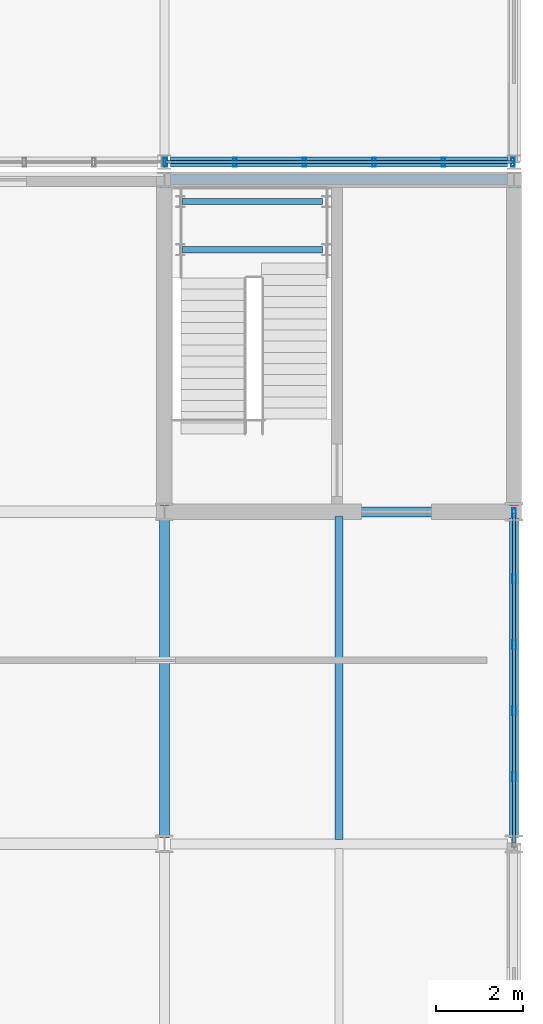
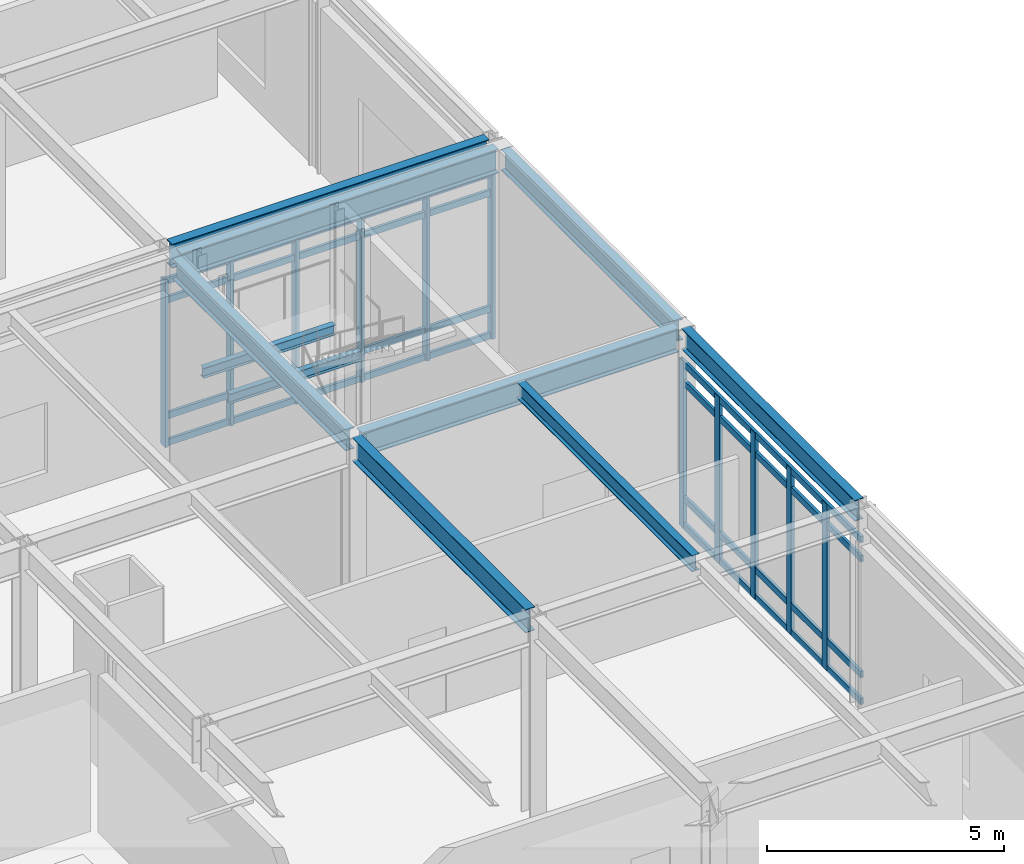
# One storey, part 59 of 94: 19 members, 10 beams, 2 elements without a shape of their own.
"""IFC4 building model written with IfcOpenShell, lengths in metres."""

from ifc_helpers import new_model, si_unit, direction, frame, origin, origin_2d, place, context, subcontext, project, spatial, hollow_rectangle, i_section, extrude, material, material_profile, profile_set, type_object, element, aggregate, save


model = new_model("IFC4")

# Units and contexts
model_context = context("Model", 3, precision=1e-05, world=origin(), true_north=direction((0.0, 1.0)))
body_context = subcontext(model_context, "Body", "Model", "MODEL_VIEW")
ifc_project = project(units=[si_unit("LENGTHUNIT", "METRE"), si_unit("AREAUNIT", "SQUARE_METRE"), si_unit("VOLUMEUNIT", "CUBIC_METRE"), si_unit("PLANEANGLEUNIT", "RADIAN"), si_unit("MASSUNIT", "GRAM", prefix="KILO")], contexts=[model_context])

# Site, building, storey
site_placement = place(None, origin())
site = spatial("IfcSite", under=ifc_project, at=site_placement, CompositionType="ELEMENT")
building_placement = place(site_placement, origin())
building = spatial("IfcBuilding", under=site, at=building_placement, Name="Zulena Civic Courthouse", CompositionType="ELEMENT")
storey_placement = place(building_placement, frame((0.0, 0.0, 5.39990234375)))
storey = spatial("IfcBuildingStorey", under=building, at=storey_placement, Name="L01", CompositionType="ELEMENT", Elevation=5.39990234375)

# Curtain wall, members
ifc_material_1 = material(Name="Double-silver low-E laminated solar-control glass", Category="glass")
curtain_wall_type_1 = type_object("IfcCurtainWallType", Name="CW_7552x4280", PredefinedType="USERDEFINED", material=ifc_material_1)
curtain_wall_1_placement = place(storey_placement, origin())
curtain_wall_1 = element("IfcCurtainWall", 1, at=curtain_wall_1_placement, inside=storey, type_object=curtain_wall_type_1, Name="cw:V1:L01:2:1", ObjectType="UNITISED CURTAIN WALL", PredefinedType="USERDEFINED")
ifc_material_2 = material(Name="Bronze anodised thermally broken aluminium AA6063-T6", Category="aluminium")
ifc_material_profile_1 = material_profile(ifc_material_2, hollow_rectangle(XDim=0.080078125, YDim=0.199951171875, WallThickness=0.0048828125, at=origin_2d()), Name="CWM200X80X5")
ifc_profile_set_1 = profile_set([ifc_material_profile_1], Name="Bronze anodised thermally broken aluminium AA6063-T6")
member_type_1 = type_object("IfcMemberType", Name="CWMullion_200x80", PredefinedType="MULLION", material=ifc_profile_set_1)
member_1_placement = place(storey_placement, frame((172.0, 22.77587890625, 0.0), z_axis=(0.0, 0.0, 1.0), x_axis=(1.0, 0.0, 0.0)))
member_1 = element("IfcMember", 2, at=member_1_placement, type_object=member_type_1, Name="cw:V1:L01:2:1:mull:0", PredefinedType="MULLION", context=body_context, shape_type="SweptSolid", body=[
    extrude(hollow_rectangle(XDim=0.080078125, YDim=0.199951171875, WallThickness=0.0048828125, at=origin_2d()), origin(), (0.0, 0.0, 1.0), 4.280029296875),
])
member_2_placement = place(storey_placement, frame((172.0, 21.265625, 0.0), z_axis=(0.0, 0.0, 1.0), x_axis=(1.0, 0.0, 0.0)))
member_2 = element("IfcMember", 3, at=member_2_placement, type_object=member_type_1, Name="cw:V1:L01:2:1:mull:1", PredefinedType="MULLION", context=body_context, shape_type="SweptSolid", body=[
    extrude(hollow_rectangle(XDim=0.080078125, YDim=0.199951171875, WallThickness=0.0048828125, at=origin_2d()), origin(), (0.0, 0.0, 1.0), 4.280029296875),
])
member_3_placement = place(storey_placement, frame((172.0, 19.755126953125, 0.0), z_axis=(0.0, 0.0, 1.0), x_axis=(1.0, 0.0, 0.0)))
member_3 = element("IfcMember", 4, at=member_3_placement, type_object=member_type_1, Name="cw:V1:L01:2:1:mull:2", PredefinedType="MULLION", context=body_context, shape_type="SweptSolid", body=[
    extrude(hollow_rectangle(XDim=0.080078125, YDim=0.199951171875, WallThickness=0.0048828125, at=origin_2d()), origin(), (0.0, 0.0, 1.0), 4.280029296875),
])
member_4_placement = place(storey_placement, frame((172.0, 18.244873046875, 0.0), z_axis=(0.0, 0.0, 1.0), x_axis=(1.0, 0.0, 0.0)))
member_4 = element("IfcMember", 5, at=member_4_placement, type_object=member_type_1, Name="cw:V1:L01:2:1:mull:3", PredefinedType="MULLION", context=body_context, shape_type="SweptSolid", body=[
    extrude(hollow_rectangle(XDim=0.080078125, YDim=0.199951171875, WallThickness=0.0048828125, at=origin_2d()), origin(), (0.0, 0.0, 1.0), 4.280029296875),
])
member_5_placement = place(storey_placement, frame((172.0, 16.734375, 0.0), z_axis=(0.0, 0.0, 1.0), x_axis=(1.0, 0.0, 0.0)))
member_5 = element("IfcMember", 6, at=member_5_placement, type_object=member_type_1, Name="cw:V1:L01:2:1:mull:4", PredefinedType="MULLION", context=body_context, shape_type="SweptSolid", body=[
    extrude(hollow_rectangle(XDim=0.080078125, YDim=0.199951171875, WallThickness=0.0048828125, at=origin_2d()), origin(), (0.0, 0.0, 1.0), 4.280029296875),
])

curtain_wall_type_2 = type_object("IfcCurtainWallType", Name="CW_7952x4280", PredefinedType="USERDEFINED", material=ifc_material_1)
curtain_wall_2_placement = place(storey_placement, origin())
curtain_wall_2 = element("IfcCurtainWall", 7, at=curtain_wall_2_placement, inside=storey, type_object=curtain_wall_type_2, Name="cw:V3:L01:3:0", ObjectType="UNITISED CURTAIN WALL", PredefinedType="USERDEFINED")
member_6_placement = place(storey_placement, frame((171.97607421875, 30.800048828125, 0.0), z_axis=(0.0, 0.0, 1.0), x_axis=(1.0, 0.0, 0.0)))
member_6 = element("IfcMember", 8, at=member_6_placement, type_object=member_type_1, Name="cw:V3:L01:3:0:mull:0", PredefinedType="MULLION", context=body_context, shape_type="SweptSolid", body=[
    extrude(hollow_rectangle(XDim=0.080078125, YDim=0.199951171875, WallThickness=0.0048828125, at=origin_2d()), origin(), (0.0, 0.0, 1.0), 4.280029296875),
])
member_7_placement = place(storey_placement, frame((170.385498046875, 30.800048828125, 0.0), z_axis=(0.0, 0.0, 1.0), x_axis=(1.0, 0.0, 0.0)))
member_7 = element("IfcMember", 9, at=member_7_placement, type_object=member_type_1, Name="cw:V3:L01:3:0:mull:1", PredefinedType="MULLION", context=body_context, shape_type="SweptSolid", body=[
    extrude(hollow_rectangle(XDim=0.080078125, YDim=0.199951171875, WallThickness=0.0048828125, at=origin_2d()), origin(), (0.0, 0.0, 1.0), 4.280029296875),
])
member_8_placement = place(storey_placement, frame((168.795166015625, 30.800048828125, 0.0), z_axis=(0.0, 0.0, 1.0), x_axis=(1.0, 0.0, 0.0)))
member_8 = element("IfcMember", 10, at=member_8_placement, type_object=member_type_1, Name="cw:V3:L01:3:0:mull:2", PredefinedType="MULLION", context=body_context, shape_type="SweptSolid", body=[
    extrude(hollow_rectangle(XDim=0.080078125, YDim=0.199951171875, WallThickness=0.0048828125, at=origin_2d()), origin(), (0.0, 0.0, 1.0), 4.280029296875),
])
member_9_placement = place(storey_placement, frame((167.204833984375, 30.800048828125, 0.0), z_axis=(0.0, 0.0, 1.0), x_axis=(1.0, 0.0, 0.0)))
member_9 = element("IfcMember", 11, at=member_9_placement, type_object=member_type_1, Name="cw:V3:L01:3:0:mull:3", PredefinedType="MULLION", context=body_context, shape_type="SweptSolid", body=[
    extrude(hollow_rectangle(XDim=0.080078125, YDim=0.199951171875, WallThickness=0.0048828125, at=origin_2d()), origin(), (0.0, 0.0, 1.0), 4.280029296875),
])
member_10_placement = place(storey_placement, frame((165.614501953125, 30.800048828125, 0.0), z_axis=(0.0, 0.0, 1.0), x_axis=(1.0, 0.0, 0.0)))
member_10 = element("IfcMember", 12, at=member_10_placement, type_object=member_type_1, Name="cw:V3:L01:3:0:mull:4", PredefinedType="MULLION", context=body_context, shape_type="SweptSolid", body=[
    extrude(hollow_rectangle(XDim=0.080078125, YDim=0.199951171875, WallThickness=0.0048828125, at=origin_2d()), origin(), (0.0, 0.0, 1.0), 4.280029296875),
])
member_11_placement = place(storey_placement, frame((164.02392578125, 30.800048828125, 0.0), z_axis=(0.0, 0.0, 1.0), x_axis=(1.0, 0.0, 0.0)))
member_11 = element("IfcMember", 13, at=member_11_placement, type_object=member_type_1, Name="cw:V3:L01:3:0:mull:5", PredefinedType="MULLION", context=body_context, shape_type="SweptSolid", body=[
    extrude(hollow_rectangle(XDim=0.080078125, YDim=0.199951171875, WallThickness=0.0048828125, at=origin_2d()), origin(), (0.0, 0.0, 1.0), 4.280029296875),
])

# Member
ifc_material_profile_2 = material_profile(ifc_material_2, hollow_rectangle(XDim=0.070068359375, YDim=0.1650390625, WallThickness=0.00390625, at=origin_2d()), Name="CWT165X70X4")
ifc_profile_set_2 = profile_set([ifc_material_profile_2], Name="Bronze anodised thermally broken aluminium AA6063-T6")
member_type_2 = type_object("IfcMemberType", Name="CWTransom_165x70", PredefinedType="USERDEFINED", material=ifc_profile_set_2)
member_12_placement = place(storey_placement, frame((172.0, 22.77587890625, 0.06005859375), z_axis=(0.0, -1.0, 0.0), x_axis=(1.0, 0.0, 0.0)))
member_12 = element("IfcMember", 14, at=member_12_placement, type_object=member_type_2, Name="cw:V1:L01:2:1:tran:0", ObjectType="TRANSOM", PredefinedType="USERDEFINED", context=body_context, shape_type="SweptSolid", body=[
    extrude(hollow_rectangle(XDim=0.070068359375, YDim=0.1650390625, WallThickness=0.00390625, at=origin_2d()), origin(), (0.0, 0.0, 1.0), 7.5517578125),
])

member_13_placement = place(storey_placement, frame((172.0, 22.77587890625, 0.75), z_axis=(0.0, -1.0, 0.0), x_axis=(1.0, 0.0, 0.0)))
member_13 = element("IfcMember", 15, at=member_13_placement, type_object=member_type_2, Name="cw:V1:L01:2:1:tran:1", ObjectType="TRANSOM", PredefinedType="USERDEFINED", context=body_context, shape_type="SweptSolid", body=[
    extrude(hollow_rectangle(XDim=0.070068359375, YDim=0.1650390625, WallThickness=0.00390625, at=origin_2d()), origin(), (0.0, 0.0, 1.0), 7.5517578125),
])

member_14_placement = place(storey_placement, frame((172.0, 22.77587890625, 3.72998046875), z_axis=(0.0, -1.0, 0.0), x_axis=(1.0, 0.0, 0.0)))
member_14 = element("IfcMember", 16, at=member_14_placement, type_object=member_type_2, Name="cw:V1:L01:2:1:tran:2", ObjectType="TRANSOM", PredefinedType="USERDEFINED", context=body_context, shape_type="SweptSolid", body=[
    extrude(hollow_rectangle(XDim=0.070068359375, YDim=0.1650390625, WallThickness=0.00390625, at=origin_2d()), origin(), (0.0, 0.0, 1.0), 7.5517578125),
])

member_15_placement = place(storey_placement, frame((172.0, 22.77587890625, 4.22021484375), z_axis=(0.0, -1.0, 0.0), x_axis=(1.0, 0.0, 0.0)))
member_15 = element("IfcMember", 17, at=member_15_placement, type_object=member_type_2, Name="cw:V1:L01:2:1:tran:3", ObjectType="TRANSOM", PredefinedType="USERDEFINED", context=body_context, shape_type="SweptSolid", body=[
    extrude(hollow_rectangle(XDim=0.070068359375, YDim=0.1650390625, WallThickness=0.00390625, at=origin_2d()), origin(), (0.0, 0.0, 1.0), 7.5517578125),
])

aggregate(curtain_wall_1, [member_1, member_2, member_3, member_4, member_5, member_12, member_13, member_14, member_15])

member_16_placement = place(storey_placement, frame((171.97607421875, 30.800048828125, 0.06005859375), z_axis=(-1.0, 0.0, 0.0), x_axis=(0.0, -1.0, 0.0)))
member_16 = element("IfcMember", 18, at=member_16_placement, type_object=member_type_2, Name="cw:V3:L01:3:0:tran:0", ObjectType="TRANSOM", PredefinedType="USERDEFINED", context=body_context, shape_type="SweptSolid", body=[
    extrude(hollow_rectangle(XDim=0.070068359375, YDim=0.1650390625, WallThickness=0.00390625, at=origin_2d()), origin(), (0.0, 0.0, 1.0), 7.9521484375),
])

member_17_placement = place(storey_placement, frame((171.97607421875, 30.800048828125, 0.75), z_axis=(-1.0, 0.0, 0.0), x_axis=(0.0, -1.0, 0.0)))
member_17 = element("IfcMember", 19, at=member_17_placement, type_object=member_type_2, Name="cw:V3:L01:3:0:tran:1", ObjectType="TRANSOM", PredefinedType="USERDEFINED", context=body_context, shape_type="SweptSolid", body=[
    extrude(hollow_rectangle(XDim=0.070068359375, YDim=0.1650390625, WallThickness=0.00390625, at=origin_2d()), origin(), (0.0, 0.0, 1.0), 7.9521484375),
])

member_18_placement = place(storey_placement, frame((171.97607421875, 30.800048828125, 3.72998046875), z_axis=(-1.0, 0.0, 0.0), x_axis=(0.0, -1.0, 0.0)))
member_18 = element("IfcMember", 20, at=member_18_placement, type_object=member_type_2, Name="cw:V3:L01:3:0:tran:2", ObjectType="TRANSOM", PredefinedType="USERDEFINED", context=body_context, shape_type="SweptSolid", body=[
    extrude(hollow_rectangle(XDim=0.070068359375, YDim=0.1650390625, WallThickness=0.00390625, at=origin_2d()), origin(), (0.0, 0.0, 1.0), 7.9521484375),
])

member_19_placement = place(storey_placement, frame((171.97607421875, 30.800048828125, 4.22021484375), z_axis=(-1.0, 0.0, 0.0), x_axis=(0.0, -1.0, 0.0)))
member_19 = element("IfcMember", 21, at=member_19_placement, type_object=member_type_2, Name="cw:V3:L01:3:0:tran:3", ObjectType="TRANSOM", PredefinedType="USERDEFINED", context=body_context, shape_type="SweptSolid", body=[
    extrude(hollow_rectangle(XDim=0.070068359375, YDim=0.1650390625, WallThickness=0.00390625, at=origin_2d()), origin(), (0.0, 0.0, 1.0), 7.9521484375),
])

aggregate(curtain_wall_2, [member_6, member_7, member_8, member_9, member_10, member_11, member_16, member_17, member_18, member_19])

# Beams
ifc_material_3 = material(Name="Steel ASTM A992 Grade 50", Category="steel")
ifc_material_profile_3 = material_profile(ifc_material_3, i_section(OverallWidth=0.22802734375, OverallDepth=0.60693359375, WebThickness=0.01123046875, FlangeThickness=0.017333984375, FilletRadius=0.0126953125, at=origin_2d()), Name="W24X76")
ifc_profile_set_3 = profile_set([ifc_material_profile_3], Name="Steel ASTM A992 Grade 50")
beam_type_1 = type_object("IfcBeamType", Name="Girder_W24X76", PredefinedType="BEAM", material=ifc_profile_set_3)
beam_1_placement = place(storey_placement, frame((164.0, 15.344970703125, 4.881591796875), z_axis=(0.0, 1.0, 0.0), x_axis=(-1.0, 0.0, 0.0)))
element("IfcBeam", 22, at=beam_1_placement, inside=storey, type_object=beam_type_1, Name="beam:Y:V1:L01:164.0:15.2_22.8", PredefinedType="BEAM", context=body_context, shape_type="SweptSolid", body=[
    extrude(i_section(OverallWidth=0.22802734375, OverallDepth=0.60693359375, WebThickness=0.01123046875, FlangeThickness=0.017333984375, FilletRadius=0.0126953125, at=origin_2d()), origin(), (0.0, 0.0, 1.0), 7.31005859375),
])
ifc_material_profile_4 = material_profile(ifc_material_3, i_section(OverallWidth=0.14599609375, OverallDepth=0.258056640625, WebThickness=0.006103515625, FlangeThickness=0.009033203125, FilletRadius=0.007568359375, at=origin_2d()), Name="W10X22")
ifc_profile_set_4 = profile_set([ifc_material_profile_4], Name="Steel ASTM A992 Grade 50")
beam_type_2 = type_object("IfcBeamType", Name="Joist_W10X22", PredefinedType="JOIST", material=ifc_profile_set_4)
for number, where, z_axis, x_axis, name in (
    (23, (164.419921875, 28.800048828125, 2.291015625), (1.0, 0.0, 0.0), (0.0, 1.0, 0.0), "beam:lnd:K1B:L01:0"),
    (24, (164.419921875, 29.89990234375, 2.291015625), (1.0, 0.0, 0.0), (0.0, 1.0, 0.0), "beam:lnd:K1B:L01:1"),
):
    element("IfcBeam", number, at=place(storey_placement, frame(where, z_axis=z_axis, x_axis=x_axis)), inside=storey, type_object=beam_type_2, Name=name, PredefinedType="JOIST", context=body_context, shape_type="SweptSolid", body=[
        extrude(i_section(OverallWidth=0.14599609375, OverallDepth=0.258056640625, WebThickness=0.006103515625, FlangeThickness=0.009033203125, FilletRadius=0.007568359375, at=origin_2d()), origin(), (0.0, 0.0, 1.0), 3.2001953125),
    ])
ifc_material_profile_5 = material_profile(ifc_material_3, i_section(OverallWidth=0.180908203125, OverallDepth=0.4169921875, WebThickness=0.010986328125, FlangeThickness=0.018310546875, FilletRadius=0.01025390625, at=origin_2d()), Name="W16X57")
ifc_profile_set_5 = profile_set([ifc_material_profile_5], Name="Steel ASTM A992 Grade 50")
beam_type_3 = type_object("IfcBeamType", Name="Joist_W16X57", PredefinedType="JOIST", material=ifc_profile_set_5)
beam_2_placement = place(storey_placement, frame((168.0, 15.304931640625, 4.9765625), z_axis=(0.0, 1.0, 0.0), x_axis=(-1.0, 0.0, 0.0)))
element("IfcBeam", 25, at=beam_2_placement, inside=storey, type_object=beam_type_3, Name="joist:V1:L01:168.00:15.2_22.8", PredefinedType="JOIST", context=body_context, shape_type="SweptSolid", body=[
    extrude(i_section(OverallWidth=0.180908203125, OverallDepth=0.4169921875, WebThickness=0.010986328125, FlangeThickness=0.018310546875, FilletRadius=0.01025390625, at=origin_2d()), origin(), (0.0, 0.0, 1.0), 7.39013671875),
])
ifc_material_profile_6 = material_profile(ifc_material_3, i_section(OverallWidth=0.2099609375, OverallDepth=0.537109375, WebThickness=0.010986328125, FlangeThickness=0.017333984375, FilletRadius=0.0126953125, at=origin_2d()), Name="W21X68")
ifc_profile_set_6 = profile_set([ifc_material_profile_6], Name="Steel ASTM A992 Grade 50")
beam_type_4 = type_object("IfcBeamType", Name="Spandrel_W21X68", PredefinedType="SPANDREL", material=ifc_profile_set_6)
beam_3_placement = place(storey_placement, frame((164.0, 22.945068359375, 4.91650390625), z_axis=(0.0, 1.0, 0.0), x_axis=(-1.0, 0.0, 0.0)))
element("IfcBeam", 26, at=beam_3_placement, inside=storey, type_object=beam_type_4, Name="beam:Y:V1:L01:164.0:22.8_30.4", PredefinedType="SPANDREL", context=body_context, shape_type="SweptSolid", body=[
    extrude(i_section(OverallWidth=0.2099609375, OverallDepth=0.537109375, WebThickness=0.010986328125, FlangeThickness=0.017333984375, FilletRadius=0.0126953125, at=origin_2d()), origin(), (0.0, 0.0, 1.0), 7.309814453125),
])
beam_4_placement = place(storey_placement, frame((172.0, 15.344970703125, 4.91650390625), z_axis=(0.0, 1.0, 0.0), x_axis=(-1.0, 0.0, 0.0)))
element("IfcBeam", 27, at=beam_4_placement, inside=storey, type_object=beam_type_4, Name="beam:Y:V1:L01:172.0:15.2_22.8", PredefinedType="SPANDREL", context=body_context, shape_type="SweptSolid", body=[
    extrude(i_section(OverallWidth=0.2099609375, OverallDepth=0.537109375, WebThickness=0.010986328125, FlangeThickness=0.017333984375, FilletRadius=0.0126953125, at=origin_2d()), origin(), (0.0, 0.0, 1.0), 7.31005859375),
])
beam_5_placement = place(storey_placement, frame((172.0, 22.945068359375, 4.91650390625), z_axis=(0.0, 1.0, 0.0), x_axis=(-1.0, 0.0, 0.0)))
element("IfcBeam", 28, at=beam_5_placement, inside=storey, type_object=beam_type_4, Name="beam:Y:V1:L01:172.0:22.8_30.4", PredefinedType="SPANDREL", context=body_context, shape_type="SweptSolid", body=[
    extrude(i_section(OverallWidth=0.2099609375, OverallDepth=0.537109375, WebThickness=0.010986328125, FlangeThickness=0.017333984375, FilletRadius=0.0126953125, at=origin_2d()), origin(), (0.0, 0.0, 1.0), 7.309814453125),
])
ifc_material_profile_7 = material_profile(ifc_material_3, i_section(OverallWidth=0.22998046875, OverallDepth=0.616943359375, WebThickness=0.01318359375, FlangeThickness=0.022216796875, FilletRadius=0.0126953125, at=origin_2d()), Name="W24X94")
ifc_profile_set_7 = profile_set([ifc_material_profile_7], Name="Steel ASTM A992 Grade 50")
beam_type_5 = type_object("IfcBeamType", Name="Spandrel_W24X94", PredefinedType="SPANDREL", material=ifc_profile_set_7)
for number, where, z_axis, x_axis, name in (
    (29, (164.14501953125, 22.800048828125, 4.876708984375), (1.0, 0.0, 0.0), (0.0, 1.0, 0.0), "beam:X:V1:L01:22.8:164.0_172.0"),
    (30, (164.14501953125, 30.39990234375, 4.876708984375), (1.0, 0.0, 0.0), (0.0, 1.0, 0.0), "beam:X:V1:L01:30.4:164.0_172.0"),
    (31, (164.14501953125, 30.800048828125, 4.876708984375), (1.0, 0.0, 0.0), (0.0, 1.0, 0.0), "beam:X:V3:L01:30.8:164.0_172.0"),
):
    element("IfcBeam", number, at=place(storey_placement, frame(where, z_axis=z_axis, x_axis=x_axis)), inside=storey, type_object=beam_type_5, Name=name, PredefinedType="SPANDREL", context=body_context, shape_type="SweptSolid", body=[
        extrude(i_section(OverallWidth=0.22998046875, OverallDepth=0.616943359375, WebThickness=0.01318359375, FlangeThickness=0.022216796875, FilletRadius=0.0126953125, at=origin_2d()), origin(), (0.0, 0.0, 1.0), 7.7099609375),
    ])

save(model, "model.ifc")
